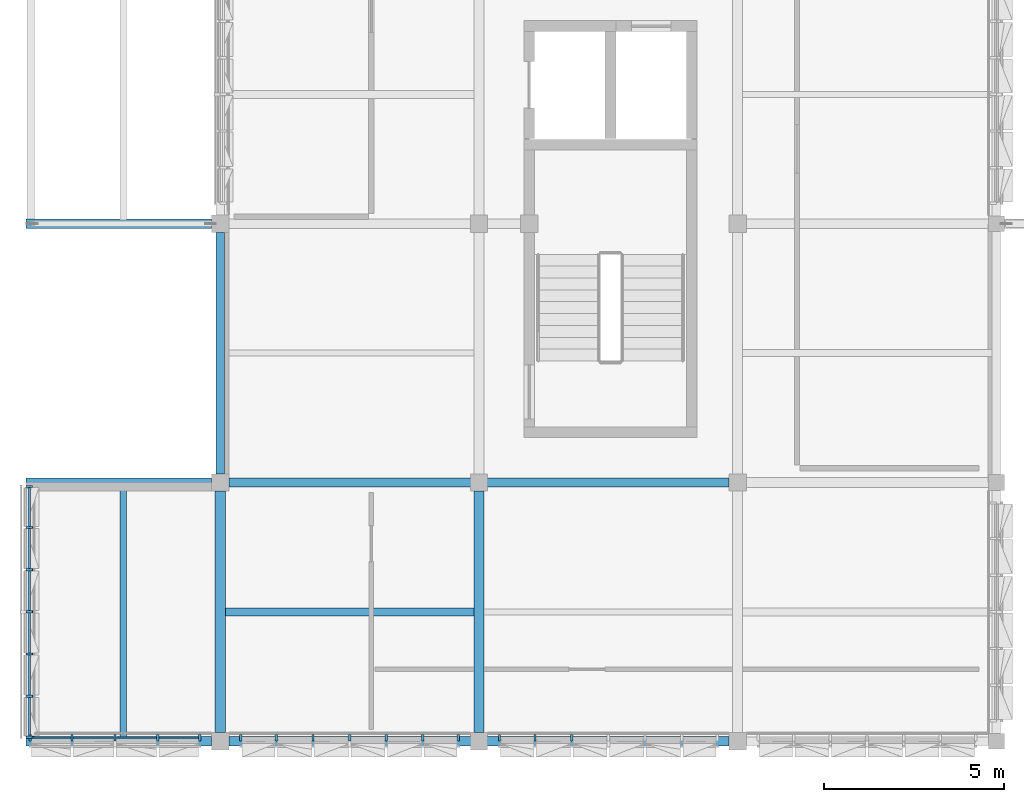
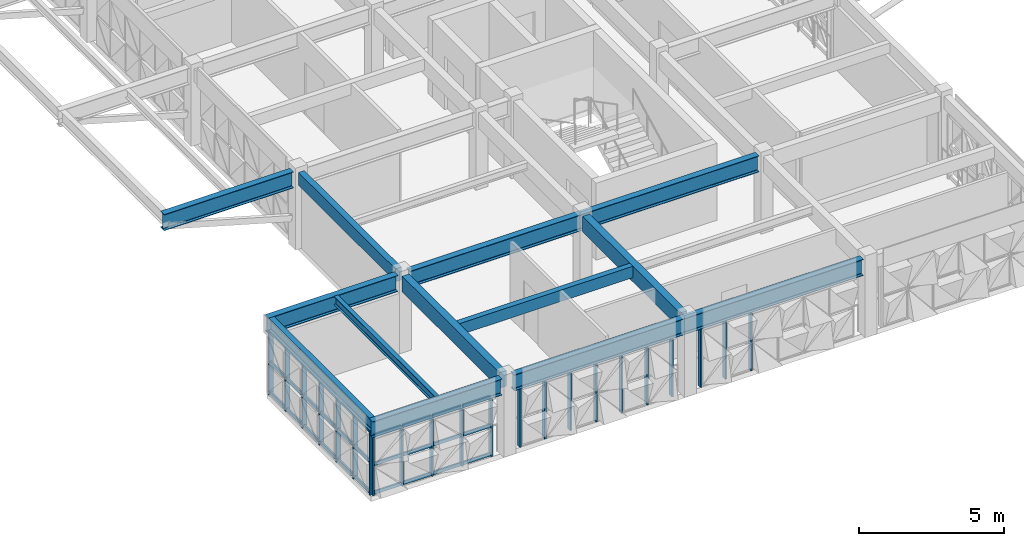
# One storey, part 2 of 30: 52 members, 11 beams, 4 elements without a shape of their own.
"""IFC4 building model written with IfcOpenShell, lengths in metres."""

from ifc_helpers import new_model, si_unit, direction, frame, origin, origin_2d, place, context, subcontext, project, spatial, rectangle, i_section, extrude, material, material_profile, profile_set, type_object, element, aggregate, save


model = new_model("IFC4")

# Units and contexts
model_context = context("Model", 3, precision=1e-05, world=origin(), true_north=direction((0.0, 1.0)))
body_context = subcontext(model_context, "Body", "Model", "MODEL_VIEW")
ifc_project = project(units=[si_unit("LENGTHUNIT", "METRE"), si_unit("AREAUNIT", "SQUARE_METRE"), si_unit("VOLUMEUNIT", "CUBIC_METRE"), si_unit("PLANEANGLEUNIT", "RADIAN"), si_unit("MASSUNIT", "GRAM", prefix="KILO")], contexts=[model_context])

# Site, building, storey
site_placement = place(None, origin())
site = spatial("IfcSite", under=ifc_project, at=site_placement, CompositionType="ELEMENT")
building_placement = place(site_placement, origin())
building = spatial("IfcBuilding", under=site, at=building_placement, Name="Alvorim Cloister Faculty of Sciences", CompositionType="ELEMENT")
storey_placement = place(building_placement, frame((0.0, 0.0, 26.25)))
storey = spatial("IfcBuildingStorey", under=building, at=storey_placement, Name="L07", CompositionType="ELEMENT", Elevation=26.25)

# Beams
ifc_material_1 = material(Name="Glulam GL28h", Category="wood")
ifc_material_profile_1 = material_profile(ifc_material_1, rectangle(XDim=0.280029296875, YDim=0.659912109375, at=origin_2d()), Name="GL28-BM-280x660")
ifc_profile_set_1 = profile_set([ifc_material_profile_1], Name="Glulam GL28h")
beam_type_1 = type_object("IfcBeamType", Name="BM-GL-280x660", PredefinedType="BEAM", material=ifc_profile_set_1)
for number, where, z_axis, x_axis, name in (
    (1, (7.199951171875, 7.43994140625, 2.909912109375), (0.0, 1.0, 0.0), (-1.0, 0.0, 0.0), "L07 Primary Girder BM-2126"),
    (2, (14.39990234375, 7.43994140625, 2.909912109375), (0.0, 1.0, 0.0), (-1.0, 0.0, 0.0), "L07 Primary Girder BM-2133"),
):
    element("IfcBeam", number, at=place(storey_placement, frame(where, z_axis=z_axis, x_axis=x_axis)), inside=storey, type_object=beam_type_1, Name=name, PredefinedType="BEAM", context=body_context, shape_type="SweptSolid", body=[
        extrude(rectangle(XDim=0.280029296875, YDim=0.659912109375, at=origin_2d()), origin(), (0.0, 0.0, 1.0), 6.719970703125),
    ])
ifc_material_profile_2 = material_profile(ifc_material_1, rectangle(XDim=0.219970703125, YDim=0.47998046875, at=origin_2d()), Name="GL28-JST-220x480")
ifc_profile_set_2 = profile_set([ifc_material_profile_2], Name="Glulam GL28h")
beam_type_2 = type_object("IfcBeamType", Name="BM-JST-GL-220x480", PredefinedType="JOIST", material=ifc_profile_set_2)
beam_1_placement = place(storey_placement, frame((7.340087890625, 10.800048828125, 3.0), z_axis=(1.0, 0.0, 0.0), x_axis=(0.0, 1.0, 0.0)))
element("IfcBeam", 3, at=beam_1_placement, inside=storey, type_object=beam_type_2, Name="L07 Secondary Floor Joist BM-2154", PredefinedType="JOIST", context=body_context, shape_type="SweptSolid", body=[
    extrude(rectangle(XDim=0.219970703125, YDim=0.47998046875, at=origin_2d()), origin(), (0.0, 0.0, 1.0), 6.919921875),
])
ifc_material_profile_3 = material_profile(ifc_material_1, rectangle(XDim=0.239990234375, YDim=0.5400390625, at=origin_2d()), Name="GL28-SPD-240x540")
ifc_profile_set_3 = profile_set([ifc_material_profile_3], Name="Glulam GL28h")
beam_type_3 = type_object("IfcBeamType", Name="BM-SPD-GL-240x540", PredefinedType="SPANDREL", material=ifc_profile_set_3)
beam_2_placement = place(storey_placement, frame((7.199951171875, 14.639892578125, 2.969970703125), z_axis=(0.0, 1.0, 0.0), x_axis=(-1.0, 0.0, 0.0)))
element("IfcBeam", 4, at=beam_2_placement, inside=storey, type_object=beam_type_3, Name="L07 Primary Girder BM-2127", PredefinedType="SPANDREL", context=body_context, shape_type="SweptSolid", body=[
    extrude(rectangle(XDim=0.239990234375, YDim=0.5400390625, at=origin_2d()), origin(), (0.0, 0.0, 1.0), 6.72021484375),
])
ifc_material_2 = material(Name="Steel ASTM A572 Grade 50", Category="steel")
ifc_material_profile_4 = material_profile(ifc_material_2, i_section(OverallWidth=0.1708984375, OverallDepth=0.35498046875, WebThickness=0.007080078125, FlangeThickness=0.01171875, FilletRadius=0.012939453125, at=origin_2d()), Name="W360x51.0")
ifc_profile_set_4 = profile_set([ifc_material_profile_4], Name="Steel ASTM A572 Grade 50")
beam_type_4 = type_object("IfcBeamType", Name="BM-STL-W360", PredefinedType="JOIST", material=ifc_profile_set_4)
beam_3_placement = place(storey_placement, frame((4.5, 7.31005859375, 3.0625), z_axis=(0.0, 1.0, 0.0), x_axis=(-1.0, 0.0, 0.0)))
element("IfcBeam", 5, at=beam_3_placement, inside=storey, type_object=beam_type_4, Name="L07 Cantilever Deck Joist BM-0168", PredefinedType="JOIST", context=body_context, shape_type="SweptSolid", body=[
    extrude(i_section(OverallWidth=0.1708984375, OverallDepth=0.35498046875, WebThickness=0.007080078125, FlangeThickness=0.01171875, FilletRadius=0.012939453125, at=origin_2d()), origin(), (0.0, 0.0, 1.0), 6.97998046875),
])
ifc_material_profile_5 = material_profile(ifc_material_2, i_section(OverallWidth=0.208984375, OverallDepth=0.532958984375, WebThickness=0.01025390625, FlangeThickness=0.015625, FilletRadius=0.01611328125, at=origin_2d()), Name="W530x92.0")
ifc_profile_set_5 = profile_set([ifc_material_profile_5], Name="Steel ASTM A572 Grade 50")
beam_type_5 = type_object("IfcBeamType", Name="BM-STL-W530", PredefinedType="BEAM", material=ifc_profile_set_5)
beam_4_placement = place(storey_placement, frame((1.919921875, 7.31005859375, 2.973388671875), z_axis=(0.0, 1.0, 0.0), x_axis=(-1.0, 0.0, 0.0)))
element("IfcBeam", 6, at=beam_4_placement, inside=storey, type_object=beam_type_5, Name="L07 Cantilever Tip Header Girder BM-0167", PredefinedType="BEAM", context=body_context, shape_type="SweptSolid", body=[
    extrude(i_section(OverallWidth=0.208984375, OverallDepth=0.532958984375, WebThickness=0.01025390625, FlangeThickness=0.015625, FilletRadius=0.01611328125, at=origin_2d()), origin(), (0.0, 0.0, 1.0), 6.97998046875),
])
ifc_material_profile_6 = material_profile(ifc_material_2, i_section(OverallWidth=0.25390625, OverallDepth=0.68408203125, WebThickness=0.012451171875, FlangeThickness=0.01904296875, FilletRadius=0.01904296875, at=origin_2d()), Name="W690x140.0")
ifc_profile_set_6 = profile_set([ifc_material_profile_6], Name="Steel ASTM A572 Grade 50")
beam_type_6 = type_object("IfcBeamType", Name="BM-STL-W690", PredefinedType="BEAM", material=ifc_profile_set_6)
beam_5_placement = place(storey_placement, frame((7.43994140625, 7.199951171875, 2.89794921875), z_axis=(1.0, 0.0, 0.0), x_axis=(0.0, 1.0, 0.0)))
element("IfcBeam", 7, at=beam_5_placement, inside=storey, type_object=beam_type_6, Name="L07 Cantilever Backspan Girder BM-0163", PredefinedType="BEAM", context=body_context, shape_type="SweptSolid", body=[
    extrude(i_section(OverallWidth=0.25390625, OverallDepth=0.68408203125, WebThickness=0.012451171875, FlangeThickness=0.01904296875, FilletRadius=0.01904296875, at=origin_2d()), origin(), (0.0, 0.0, 1.0), 13.920166015625),
])
beam_6_placement = place(storey_placement, frame((1.800048828125, 7.199951171875, 2.89794921875), z_axis=(1.0, 0.0, 0.0), x_axis=(0.0, 1.0, 0.0)))
element("IfcBeam", 8, at=beam_6_placement, inside=storey, type_object=beam_type_6, Name="L07 Cantilever Overhang Girder BM-0164", PredefinedType="BEAM", context=body_context, shape_type="SweptSolid", body=[
    extrude(i_section(OverallWidth=0.25390625, OverallDepth=0.68408203125, WebThickness=0.012451171875, FlangeThickness=0.01904296875, FilletRadius=0.01904296875, at=origin_2d()), origin(), (0.0, 0.0, 1.0), 5.159912109375),
])
beam_7_placement = place(storey_placement, frame((7.43994140625, 14.39990234375, 2.89794921875), z_axis=(1.0, 0.0, 0.0), x_axis=(0.0, 1.0, 0.0)))
element("IfcBeam", 9, at=beam_7_placement, inside=storey, type_object=beam_type_6, Name="L07 Cantilever Backspan Girder BM-0165", PredefinedType="BEAM", context=body_context, shape_type="SweptSolid", body=[
    extrude(i_section(OverallWidth=0.25390625, OverallDepth=0.68408203125, WebThickness=0.012451171875, FlangeThickness=0.01904296875, FilletRadius=0.01904296875, at=origin_2d()), origin(), (0.0, 0.0, 1.0), 13.920166015625),
])
for number, where, z_axis, x_axis, name in (
    (10, (1.800048828125, 14.39990234375, 2.89794921875), (1.0, 0.0, 0.0), (0.0, 1.0, 0.0), "L07 Cantilever Overhang Girder BM-0166"),
    (11, (1.800048828125, 21.60009765625, 2.89794921875), (1.0, 0.0, 0.0), (0.0, 1.0, 0.0), "L07 Cantilever Overhang Girder BM-0170"),
):
    element("IfcBeam", number, at=place(storey_placement, frame(where, z_axis=z_axis, x_axis=x_axis)), inside=storey, type_object=beam_type_6, Name=name, PredefinedType="BEAM", context=body_context, shape_type="SweptSolid", body=[
        extrude(i_section(OverallWidth=0.25390625, OverallDepth=0.68408203125, WebThickness=0.012451171875, FlangeThickness=0.01904296875, FilletRadius=0.01904296875, at=origin_2d()), origin(), (0.0, 0.0, 1.0), 5.159912109375),
    ])

# Curtain wall, members
ifc_material_3 = material(Name="Aluminium and Low-E Glass Curtain Wall", Category="aluminium")
curtain_wall_type_1 = type_object("IfcCurtainWallType", Name="CW-TRI-6120x2556", PredefinedType="USERDEFINED", material=ifc_material_3)
curtain_wall_1_placement = place(storey_placement, origin())
curtain_wall_1 = element("IfcCurtainWall", 12, at=curtain_wall_1_placement, inside=storey, type_object=curtain_wall_type_1, Name="L07 Diagonal Cassette Curtain Wall CW-0263", ObjectType="UNITISED CURTAIN WALL", PredefinedType="USERDEFINED")
ifc_material_4 = material(Name="Aluminium Alloy 6063-T6", Category="aluminium")
ifc_material_profile_7 = material_profile(ifc_material_4, rectangle(XDim=0.06494140625, YDim=0.179931640625, at=origin_2d()), Name="ALU-MUL-65x180")
ifc_profile_set_7 = profile_set([ifc_material_profile_7], Name="Aluminium Alloy 6063-T6")
member_type_1 = type_object("IfcMemberType", Name="CW-MUL-65x180", PredefinedType="MULLION", material=ifc_profile_set_7)
member_1_placement = place(storey_placement, frame((14.972412109375, 7.2900390625, 0.0), z_axis=(0.0, 0.0, 1.0), x_axis=(1.0, 0.0, 0.0)))
member_1 = element("IfcMember", 13, at=member_1_placement, type_object=member_type_1, Name="CW-0263 Mullion 1", PredefinedType="MULLION", context=body_context, shape_type="SweptSolid", body=[
    extrude(rectangle(XDim=0.06494140625, YDim=0.179931640625, at=origin_2d()), origin(), (0.0, 0.0, 1.0), 2.555908203125),
])
member_2_placement = place(storey_placement, frame((15.9599609375, 7.2900390625, 0.0), z_axis=(0.0, 0.0, 1.0), x_axis=(1.0, 0.0, 0.0)))
member_2 = element("IfcMember", 14, at=member_2_placement, type_object=member_type_1, Name="CW-0263 Mullion 2", PredefinedType="MULLION", context=body_context, shape_type="SweptSolid", body=[
    extrude(rectangle(XDim=0.06494140625, YDim=0.179931640625, at=origin_2d()), origin(), (0.0, 0.0, 1.0), 2.555908203125),
])
member_3_placement = place(storey_placement, frame((16.97998046875, 7.2900390625, 0.0), z_axis=(0.0, 0.0, 1.0), x_axis=(1.0, 0.0, 0.0)))
member_3 = element("IfcMember", 15, at=member_3_placement, type_object=member_type_1, Name="CW-0263 Mullion 3", PredefinedType="MULLION", context=body_context, shape_type="SweptSolid", body=[
    extrude(rectangle(XDim=0.06494140625, YDim=0.179931640625, at=origin_2d()), origin(), (0.0, 0.0, 1.0), 2.555908203125),
])
aggregate(curtain_wall_1, [member_1, member_2, member_3])

curtain_wall_2_placement = place(storey_placement, origin())
curtain_wall_2 = element("IfcCurtainWall", 16, at=curtain_wall_2_placement, inside=storey, type_object=curtain_wall_type_1, Name="L07 Diagonal Cassette Curtain Wall CW-0264", ObjectType="UNITISED CURTAIN WALL", PredefinedType="USERDEFINED")
member_4_placement = place(storey_placement, frame((7.7724609375, 7.2900390625, 0.0), z_axis=(0.0, 0.0, 1.0), x_axis=(1.0, 0.0, 0.0)))
member_4 = element("IfcMember", 17, at=member_4_placement, type_object=member_type_1, Name="CW-0264 Mullion 1", PredefinedType="MULLION", context=body_context, shape_type="SweptSolid", body=[
    extrude(rectangle(XDim=0.06494140625, YDim=0.179931640625, at=origin_2d()), origin(), (0.0, 0.0, 1.0), 2.555908203125),
])
member_5_placement = place(storey_placement, frame((8.760009765625, 7.2900390625, 0.0), z_axis=(0.0, 0.0, 1.0), x_axis=(1.0, 0.0, 0.0)))
member_5 = element("IfcMember", 18, at=member_5_placement, type_object=member_type_1, Name="CW-0264 Mullion 2", PredefinedType="MULLION", context=body_context, shape_type="SweptSolid", body=[
    extrude(rectangle(XDim=0.06494140625, YDim=0.179931640625, at=origin_2d()), origin(), (0.0, 0.0, 1.0), 2.555908203125),
])
member_6_placement = place(storey_placement, frame((9.780029296875, 7.2900390625, 0.0), z_axis=(0.0, 0.0, 1.0), x_axis=(1.0, 0.0, 0.0)))
member_6 = element("IfcMember", 19, at=member_6_placement, type_object=member_type_1, Name="CW-0264 Mullion 3", PredefinedType="MULLION", context=body_context, shape_type="SweptSolid", body=[
    extrude(rectangle(XDim=0.06494140625, YDim=0.179931640625, at=origin_2d()), origin(), (0.0, 0.0, 1.0), 2.555908203125),
])
member_7_placement = place(storey_placement, frame((10.800048828125, 7.2900390625, 0.0), z_axis=(0.0, 0.0, 1.0), x_axis=(1.0, 0.0, 0.0)))
member_7 = element("IfcMember", 20, at=member_7_placement, type_object=member_type_1, Name="CW-0264 Mullion 4", PredefinedType="MULLION", context=body_context, shape_type="SweptSolid", body=[
    extrude(rectangle(XDim=0.06494140625, YDim=0.179931640625, at=origin_2d()), origin(), (0.0, 0.0, 1.0), 2.555908203125),
])
member_8_placement = place(storey_placement, frame((11.820068359375, 7.2900390625, 0.0), z_axis=(0.0, 0.0, 1.0), x_axis=(1.0, 0.0, 0.0)))
member_8 = element("IfcMember", 21, at=member_8_placement, type_object=member_type_1, Name="CW-0264 Mullion 5", PredefinedType="MULLION", context=body_context, shape_type="SweptSolid", body=[
    extrude(rectangle(XDim=0.06494140625, YDim=0.179931640625, at=origin_2d()), origin(), (0.0, 0.0, 1.0), 2.555908203125),
])
member_9_placement = place(storey_placement, frame((12.840087890625, 7.2900390625, 0.0), z_axis=(0.0, 0.0, 1.0), x_axis=(1.0, 0.0, 0.0)))
member_9 = element("IfcMember", 22, at=member_9_placement, type_object=member_type_1, Name="CW-0264 Mullion 6", PredefinedType="MULLION", context=body_context, shape_type="SweptSolid", body=[
    extrude(rectangle(XDim=0.06494140625, YDim=0.179931640625, at=origin_2d()), origin(), (0.0, 0.0, 1.0), 2.555908203125),
])
member_10_placement = place(storey_placement, frame((13.827392578125, 7.2900390625, 0.0), z_axis=(0.0, 0.0, 1.0), x_axis=(1.0, 0.0, 0.0)))
member_10 = element("IfcMember", 23, at=member_10_placement, type_object=member_type_1, Name="CW-0264 Mullion 7", PredefinedType="MULLION", context=body_context, shape_type="SweptSolid", body=[
    extrude(rectangle(XDim=0.06494140625, YDim=0.179931640625, at=origin_2d()), origin(), (0.0, 0.0, 1.0), 2.555908203125),
])
aggregate(curtain_wall_2, [member_4, member_5, member_6, member_7, member_8, member_9, member_10])

curtain_wall_type_2 = type_object("IfcCurtainWallType", Name="CW-TRI-4780x2556", PredefinedType="USERDEFINED", material=ifc_material_3)
curtain_wall_3_placement = place(storey_placement, origin())
curtain_wall_3 = element("IfcCurtainWall", 24, at=curtain_wall_3_placement, inside=storey, type_object=curtain_wall_type_2, Name="L07 Diagonal Cassette Curtain Wall CW-0265", ObjectType="UNITISED CURTAIN WALL", PredefinedType="USERDEFINED")
member_11_placement = place(storey_placement, frame((1.91259765625, 7.2900390625, 0.0), z_axis=(0.0, 0.0, 1.0), x_axis=(1.0, 0.0, 0.0)))
member_11 = element("IfcMember", 25, at=member_11_placement, type_object=member_type_1, Name="CW-0265 Mullion 1", PredefinedType="MULLION", context=body_context, shape_type="SweptSolid", body=[
    extrude(rectangle(XDim=0.06494140625, YDim=0.179931640625, at=origin_2d()), origin(), (0.0, 0.0, 1.0), 2.555908203125),
])
member_12_placement = place(storey_placement, frame((3.074951171875, 7.2900390625, 0.0), z_axis=(0.0, 0.0, 1.0), x_axis=(1.0, 0.0, 0.0)))
member_12 = element("IfcMember", 26, at=member_12_placement, type_object=member_type_1, Name="CW-0265 Mullion 2", PredefinedType="MULLION", context=body_context, shape_type="SweptSolid", body=[
    extrude(rectangle(XDim=0.06494140625, YDim=0.179931640625, at=origin_2d()), origin(), (0.0, 0.0, 1.0), 2.555908203125),
])
member_13_placement = place(storey_placement, frame((4.27001953125, 7.2900390625, 0.0), z_axis=(0.0, 0.0, 1.0), x_axis=(1.0, 0.0, 0.0)))
member_13 = element("IfcMember", 27, at=member_13_placement, type_object=member_type_1, Name="CW-0265 Mullion 3", PredefinedType="MULLION", context=body_context, shape_type="SweptSolid", body=[
    extrude(rectangle(XDim=0.06494140625, YDim=0.179931640625, at=origin_2d()), origin(), (0.0, 0.0, 1.0), 2.555908203125),
])
member_14_placement = place(storey_placement, frame((5.465087890625, 7.2900390625, 0.0), z_axis=(0.0, 0.0, 1.0), x_axis=(1.0, 0.0, 0.0)))
member_14 = element("IfcMember", 28, at=member_14_placement, type_object=member_type_1, Name="CW-0265 Mullion 4", PredefinedType="MULLION", context=body_context, shape_type="SweptSolid", body=[
    extrude(rectangle(XDim=0.06494140625, YDim=0.179931640625, at=origin_2d()), origin(), (0.0, 0.0, 1.0), 2.555908203125),
])
member_15_placement = place(storey_placement, frame((6.62744140625, 7.2900390625, 0.0), z_axis=(0.0, 0.0, 1.0), x_axis=(1.0, 0.0, 0.0)))
member_15 = element("IfcMember", 29, at=member_15_placement, type_object=member_type_1, Name="CW-0265 Mullion 5", PredefinedType="MULLION", context=body_context, shape_type="SweptSolid", body=[
    extrude(rectangle(XDim=0.06494140625, YDim=0.179931640625, at=origin_2d()), origin(), (0.0, 0.0, 1.0), 2.555908203125),
])

curtain_wall_type_3 = type_object("IfcCurtainWallType", Name="CW-TRI-7040x2707", PredefinedType="USERDEFINED", material=ifc_material_3)
curtain_wall_4_placement = place(storey_placement, origin())
curtain_wall_4 = element("IfcCurtainWall", 30, at=curtain_wall_4_placement, inside=storey, type_object=curtain_wall_type_3, Name="L07 Diagonal Cassette Curtain Wall CW-0266", ObjectType="UNITISED CURTAIN WALL", PredefinedType="USERDEFINED")
member_16_placement = place(storey_placement, frame((1.889892578125, 7.3125, 0.0), z_axis=(0.0, 0.0, 1.0), x_axis=(0.0, 1.0, 0.0)))
member_16 = element("IfcMember", 31, at=member_16_placement, type_object=member_type_1, Name="CW-0266 Mullion 1", PredefinedType="MULLION", context=body_context, shape_type="SweptSolid", body=[
    extrude(rectangle(XDim=0.06494140625, YDim=0.179931640625, at=origin_2d()), origin(), (0.0, 0.0, 1.0), 2.70703125),
])
member_17_placement = place(storey_placement, frame((1.889892578125, 8.453369140625, 0.0), z_axis=(0.0, 0.0, 1.0), x_axis=(0.0, 1.0, 0.0)))
member_17 = element("IfcMember", 32, at=member_17_placement, type_object=member_type_1, Name="CW-0266 Mullion 2", PredefinedType="MULLION", context=body_context, shape_type="SweptSolid", body=[
    extrude(rectangle(XDim=0.06494140625, YDim=0.179931640625, at=origin_2d()), origin(), (0.0, 0.0, 1.0), 2.70703125),
])
member_18_placement = place(storey_placement, frame((1.889892578125, 9.626708984375, 0.0), z_axis=(0.0, 0.0, 1.0), x_axis=(0.0, 1.0, 0.0)))
member_18 = element("IfcMember", 33, at=member_18_placement, type_object=member_type_1, Name="CW-0266 Mullion 3", PredefinedType="MULLION", context=body_context, shape_type="SweptSolid", body=[
    extrude(rectangle(XDim=0.06494140625, YDim=0.179931640625, at=origin_2d()), origin(), (0.0, 0.0, 1.0), 2.70703125),
])
member_19_placement = place(storey_placement, frame((1.889892578125, 10.800048828125, 0.0), z_axis=(0.0, 0.0, 1.0), x_axis=(0.0, 1.0, 0.0)))
member_19 = element("IfcMember", 34, at=member_19_placement, type_object=member_type_1, Name="CW-0266 Mullion 4", PredefinedType="MULLION", context=body_context, shape_type="SweptSolid", body=[
    extrude(rectangle(XDim=0.06494140625, YDim=0.179931640625, at=origin_2d()), origin(), (0.0, 0.0, 1.0), 2.70703125),
])
member_20_placement = place(storey_placement, frame((1.889892578125, 11.973388671875, 0.0), z_axis=(0.0, 0.0, 1.0), x_axis=(0.0, 1.0, 0.0)))
member_20 = element("IfcMember", 35, at=member_20_placement, type_object=member_type_1, Name="CW-0266 Mullion 5", PredefinedType="MULLION", context=body_context, shape_type="SweptSolid", body=[
    extrude(rectangle(XDim=0.06494140625, YDim=0.179931640625, at=origin_2d()), origin(), (0.0, 0.0, 1.0), 2.70703125),
])
member_21_placement = place(storey_placement, frame((1.889892578125, 13.146728515625, 0.0), z_axis=(0.0, 0.0, 1.0), x_axis=(0.0, 1.0, 0.0)))
member_21 = element("IfcMember", 36, at=member_21_placement, type_object=member_type_1, Name="CW-0266 Mullion 6", PredefinedType="MULLION", context=body_context, shape_type="SweptSolid", body=[
    extrude(rectangle(XDim=0.06494140625, YDim=0.179931640625, at=origin_2d()), origin(), (0.0, 0.0, 1.0), 2.70703125),
])
member_22_placement = place(storey_placement, frame((1.889892578125, 14.28759765625, 0.0), z_axis=(0.0, 0.0, 1.0), x_axis=(0.0, 1.0, 0.0)))
member_22 = element("IfcMember", 37, at=member_22_placement, type_object=member_type_1, Name="CW-0266 Mullion 7", PredefinedType="MULLION", context=body_context, shape_type="SweptSolid", body=[
    extrude(rectangle(XDim=0.06494140625, YDim=0.179931640625, at=origin_2d()), origin(), (0.0, 0.0, 1.0), 2.70703125),
])

# Member
ifc_material_profile_8 = material_profile(ifc_material_4, rectangle(XDim=0.06494140625, YDim=0.139892578125, at=origin_2d()), Name="ALU-TRN-65x140")
ifc_profile_set_8 = profile_set([ifc_material_profile_8], Name="Aluminium Alloy 6063-T6")
member_type_2 = type_object("IfcMemberType", Name="CW-TRN-65x140", PredefinedType="USERDEFINED", material=ifc_profile_set_8)
member_23_placement = place(storey_placement, frame((1.945068359375, 7.2900390625, 0.070068359375), z_axis=(1.0, 0.0, 0.0), x_axis=(0.0, 1.0, 0.0)))
member_23 = element("IfcMember", 38, at=member_23_placement, type_object=member_type_2, Name="CW-0265 Transom 1.1", ObjectType="TRANSOM", PredefinedType="USERDEFINED", context=body_context, shape_type="SweptSolid", body=[
    extrude(rectangle(XDim=0.06494140625, YDim=0.139892578125, at=origin_2d()), origin(), (0.0, 0.0, 1.0), 1.097412109375),
])

member_24_placement = place(storey_placement, frame((1.945068359375, 7.2900390625, 1.278076171875), z_axis=(1.0, 0.0, 0.0), x_axis=(0.0, 1.0, 0.0)))
member_24 = element("IfcMember", 39, at=member_24_placement, type_object=member_type_2, Name="CW-0265 Transom 1.2", ObjectType="TRANSOM", PredefinedType="USERDEFINED", context=body_context, shape_type="SweptSolid", body=[
    extrude(rectangle(XDim=0.06494140625, YDim=0.139892578125, at=origin_2d()), origin(), (0.0, 0.0, 1.0), 1.097412109375),
])

member_25_placement = place(storey_placement, frame((1.945068359375, 7.2900390625, 2.486083984375), z_axis=(1.0, 0.0, 0.0), x_axis=(0.0, 1.0, 0.0)))
member_25 = element("IfcMember", 40, at=member_25_placement, type_object=member_type_2, Name="CW-0265 Transom 1.3", ObjectType="TRANSOM", PredefinedType="USERDEFINED", context=body_context, shape_type="SweptSolid", body=[
    extrude(rectangle(XDim=0.06494140625, YDim=0.139892578125, at=origin_2d()), origin(), (0.0, 0.0, 1.0), 1.097412109375),
])

member_26_placement = place(storey_placement, frame((3.107421875, 7.2900390625, 0.070068359375), z_axis=(1.0, 0.0, 0.0), x_axis=(0.0, 1.0, 0.0)))
member_26 = element("IfcMember", 41, at=member_26_placement, type_object=member_type_2, Name="CW-0265 Transom 2.1", ObjectType="TRANSOM", PredefinedType="USERDEFINED", context=body_context, shape_type="SweptSolid", body=[
    extrude(rectangle(XDim=0.06494140625, YDim=0.139892578125, at=origin_2d()), origin(), (0.0, 0.0, 1.0), 1.130126953125),
])

member_27_placement = place(storey_placement, frame((3.107421875, 7.2900390625, 1.278076171875), z_axis=(1.0, 0.0, 0.0), x_axis=(0.0, 1.0, 0.0)))
member_27 = element("IfcMember", 42, at=member_27_placement, type_object=member_type_2, Name="CW-0265 Transom 2.2", ObjectType="TRANSOM", PredefinedType="USERDEFINED", context=body_context, shape_type="SweptSolid", body=[
    extrude(rectangle(XDim=0.06494140625, YDim=0.139892578125, at=origin_2d()), origin(), (0.0, 0.0, 1.0), 1.130126953125),
])

member_28_placement = place(storey_placement, frame((3.107421875, 7.2900390625, 2.486083984375), z_axis=(1.0, 0.0, 0.0), x_axis=(0.0, 1.0, 0.0)))
member_28 = element("IfcMember", 43, at=member_28_placement, type_object=member_type_2, Name="CW-0265 Transom 2.3", ObjectType="TRANSOM", PredefinedType="USERDEFINED", context=body_context, shape_type="SweptSolid", body=[
    extrude(rectangle(XDim=0.06494140625, YDim=0.139892578125, at=origin_2d()), origin(), (0.0, 0.0, 1.0), 1.130126953125),
])

member_29_placement = place(storey_placement, frame((4.302490234375, 7.2900390625, 0.070068359375), z_axis=(1.0, 0.0, 0.0), x_axis=(0.0, 1.0, 0.0)))
member_29 = element("IfcMember", 44, at=member_29_placement, type_object=member_type_2, Name="CW-0265 Transom 3.1", ObjectType="TRANSOM", PredefinedType="USERDEFINED", context=body_context, shape_type="SweptSolid", body=[
    extrude(rectangle(XDim=0.06494140625, YDim=0.139892578125, at=origin_2d()), origin(), (0.0, 0.0, 1.0), 1.130126953125),
])

member_30_placement = place(storey_placement, frame((4.302490234375, 7.2900390625, 1.278076171875), z_axis=(1.0, 0.0, 0.0), x_axis=(0.0, 1.0, 0.0)))
member_30 = element("IfcMember", 45, at=member_30_placement, type_object=member_type_2, Name="CW-0265 Transom 3.2", ObjectType="TRANSOM", PredefinedType="USERDEFINED", context=body_context, shape_type="SweptSolid", body=[
    extrude(rectangle(XDim=0.06494140625, YDim=0.139892578125, at=origin_2d()), origin(), (0.0, 0.0, 1.0), 1.130126953125),
])

member_31_placement = place(storey_placement, frame((4.302490234375, 7.2900390625, 2.486083984375), z_axis=(1.0, 0.0, 0.0), x_axis=(0.0, 1.0, 0.0)))
member_31 = element("IfcMember", 46, at=member_31_placement, type_object=member_type_2, Name="CW-0265 Transom 3.3", ObjectType="TRANSOM", PredefinedType="USERDEFINED", context=body_context, shape_type="SweptSolid", body=[
    extrude(rectangle(XDim=0.06494140625, YDim=0.139892578125, at=origin_2d()), origin(), (0.0, 0.0, 1.0), 1.130126953125),
])

member_32_placement = place(storey_placement, frame((5.49755859375, 7.2900390625, 0.070068359375), z_axis=(1.0, 0.0, 0.0), x_axis=(0.0, 1.0, 0.0)))
member_32 = element("IfcMember", 47, at=member_32_placement, type_object=member_type_2, Name="CW-0265 Transom 4.1", ObjectType="TRANSOM", PredefinedType="USERDEFINED", context=body_context, shape_type="SweptSolid", body=[
    extrude(rectangle(XDim=0.06494140625, YDim=0.139892578125, at=origin_2d()), origin(), (0.0, 0.0, 1.0), 1.097412109375),
])

member_33_placement = place(storey_placement, frame((5.49755859375, 7.2900390625, 1.278076171875), z_axis=(1.0, 0.0, 0.0), x_axis=(0.0, 1.0, 0.0)))
member_33 = element("IfcMember", 48, at=member_33_placement, type_object=member_type_2, Name="CW-0265 Transom 4.2", ObjectType="TRANSOM", PredefinedType="USERDEFINED", context=body_context, shape_type="SweptSolid", body=[
    extrude(rectangle(XDim=0.06494140625, YDim=0.139892578125, at=origin_2d()), origin(), (0.0, 0.0, 1.0), 1.097412109375),
])

member_34_placement = place(storey_placement, frame((5.49755859375, 7.2900390625, 2.486083984375), z_axis=(1.0, 0.0, 0.0), x_axis=(0.0, 1.0, 0.0)))
member_34 = element("IfcMember", 49, at=member_34_placement, type_object=member_type_2, Name="CW-0265 Transom 4.3", ObjectType="TRANSOM", PredefinedType="USERDEFINED", context=body_context, shape_type="SweptSolid", body=[
    extrude(rectangle(XDim=0.06494140625, YDim=0.139892578125, at=origin_2d()), origin(), (0.0, 0.0, 1.0), 1.097412109375),
])

aggregate(curtain_wall_3, [member_11, member_12, member_13, member_14, member_15, member_23, member_24, member_25, member_26, member_27, member_28, member_29, member_30, member_31, member_32, member_33, member_34])

member_35_placement = place(storey_placement, frame((1.889892578125, 7.344970703125, 0.070068359375), z_axis=(0.0, 1.0, 0.0), x_axis=(-1.0, 0.0, 0.0)))
member_35 = element("IfcMember", 50, at=member_35_placement, type_object=member_type_2, Name="CW-0266 Transom 1.1", ObjectType="TRANSOM", PredefinedType="USERDEFINED", context=body_context, shape_type="SweptSolid", body=[
    extrude(rectangle(XDim=0.06494140625, YDim=0.139892578125, at=origin_2d()), origin(), (0.0, 0.0, 1.0), 1.075927734375),
])

member_36_placement = place(storey_placement, frame((1.889892578125, 7.344970703125, 1.353515625), z_axis=(0.0, 1.0, 0.0), x_axis=(-1.0, 0.0, 0.0)))
member_36 = element("IfcMember", 51, at=member_36_placement, type_object=member_type_2, Name="CW-0266 Transom 1.2", ObjectType="TRANSOM", PredefinedType="USERDEFINED", context=body_context, shape_type="SweptSolid", body=[
    extrude(rectangle(XDim=0.06494140625, YDim=0.139892578125, at=origin_2d()), origin(), (0.0, 0.0, 1.0), 1.075927734375),
])

member_37_placement = place(storey_placement, frame((1.889892578125, 7.344970703125, 2.636962890625), z_axis=(0.0, 1.0, 0.0), x_axis=(-1.0, 0.0, 0.0)))
member_37 = element("IfcMember", 52, at=member_37_placement, type_object=member_type_2, Name="CW-0266 Transom 1.3", ObjectType="TRANSOM", PredefinedType="USERDEFINED", context=body_context, shape_type="SweptSolid", body=[
    extrude(rectangle(XDim=0.06494140625, YDim=0.139892578125, at=origin_2d()), origin(), (0.0, 0.0, 1.0), 1.075927734375),
])

member_38_placement = place(storey_placement, frame((1.889892578125, 8.48583984375, 0.070068359375), z_axis=(0.0, 1.0, 0.0), x_axis=(-1.0, 0.0, 0.0)))
member_38 = element("IfcMember", 53, at=member_38_placement, type_object=member_type_2, Name="CW-0266 Transom 2.1", ObjectType="TRANSOM", PredefinedType="USERDEFINED", context=body_context, shape_type="SweptSolid", body=[
    extrude(rectangle(XDim=0.06494140625, YDim=0.139892578125, at=origin_2d()), origin(), (0.0, 0.0, 1.0), 1.1083984375),
])

member_39_placement = place(storey_placement, frame((1.889892578125, 8.48583984375, 1.353515625), z_axis=(0.0, 1.0, 0.0), x_axis=(-1.0, 0.0, 0.0)))
member_39 = element("IfcMember", 54, at=member_39_placement, type_object=member_type_2, Name="CW-0266 Transom 2.2", ObjectType="TRANSOM", PredefinedType="USERDEFINED", context=body_context, shape_type="SweptSolid", body=[
    extrude(rectangle(XDim=0.06494140625, YDim=0.139892578125, at=origin_2d()), origin(), (0.0, 0.0, 1.0), 1.1083984375),
])

member_40_placement = place(storey_placement, frame((1.889892578125, 8.48583984375, 2.636962890625), z_axis=(0.0, 1.0, 0.0), x_axis=(-1.0, 0.0, 0.0)))
member_40 = element("IfcMember", 55, at=member_40_placement, type_object=member_type_2, Name="CW-0266 Transom 2.3", ObjectType="TRANSOM", PredefinedType="USERDEFINED", context=body_context, shape_type="SweptSolid", body=[
    extrude(rectangle(XDim=0.06494140625, YDim=0.139892578125, at=origin_2d()), origin(), (0.0, 0.0, 1.0), 1.1083984375),
])

member_41_placement = place(storey_placement, frame((1.889892578125, 9.6591796875, 0.070068359375), z_axis=(0.0, 1.0, 0.0), x_axis=(-1.0, 0.0, 0.0)))
member_41 = element("IfcMember", 56, at=member_41_placement, type_object=member_type_2, Name="CW-0266 Transom 3.1", ObjectType="TRANSOM", PredefinedType="USERDEFINED", context=body_context, shape_type="SweptSolid", body=[
    extrude(rectangle(XDim=0.06494140625, YDim=0.139892578125, at=origin_2d()), origin(), (0.0, 0.0, 1.0), 1.1083984375),
])

member_42_placement = place(storey_placement, frame((1.889892578125, 9.6591796875, 1.353515625), z_axis=(0.0, 1.0, 0.0), x_axis=(-1.0, 0.0, 0.0)))
member_42 = element("IfcMember", 57, at=member_42_placement, type_object=member_type_2, Name="CW-0266 Transom 3.2", ObjectType="TRANSOM", PredefinedType="USERDEFINED", context=body_context, shape_type="SweptSolid", body=[
    extrude(rectangle(XDim=0.06494140625, YDim=0.139892578125, at=origin_2d()), origin(), (0.0, 0.0, 1.0), 1.1083984375),
])

member_43_placement = place(storey_placement, frame((1.889892578125, 9.6591796875, 2.636962890625), z_axis=(0.0, 1.0, 0.0), x_axis=(-1.0, 0.0, 0.0)))
member_43 = element("IfcMember", 58, at=member_43_placement, type_object=member_type_2, Name="CW-0266 Transom 3.3", ObjectType="TRANSOM", PredefinedType="USERDEFINED", context=body_context, shape_type="SweptSolid", body=[
    extrude(rectangle(XDim=0.06494140625, YDim=0.139892578125, at=origin_2d()), origin(), (0.0, 0.0, 1.0), 1.1083984375),
])

member_44_placement = place(storey_placement, frame((1.889892578125, 10.83251953125, 0.070068359375), z_axis=(0.0, 1.0, 0.0), x_axis=(-1.0, 0.0, 0.0)))
member_44 = element("IfcMember", 59, at=member_44_placement, type_object=member_type_2, Name="CW-0266 Transom 4.1", ObjectType="TRANSOM", PredefinedType="USERDEFINED", context=body_context, shape_type="SweptSolid", body=[
    extrude(rectangle(XDim=0.06494140625, YDim=0.139892578125, at=origin_2d()), origin(), (0.0, 0.0, 1.0), 1.1083984375),
])

member_45_placement = place(storey_placement, frame((1.889892578125, 10.83251953125, 1.353515625), z_axis=(0.0, 1.0, 0.0), x_axis=(-1.0, 0.0, 0.0)))
member_45 = element("IfcMember", 60, at=member_45_placement, type_object=member_type_2, Name="CW-0266 Transom 4.2", ObjectType="TRANSOM", PredefinedType="USERDEFINED", context=body_context, shape_type="SweptSolid", body=[
    extrude(rectangle(XDim=0.06494140625, YDim=0.139892578125, at=origin_2d()), origin(), (0.0, 0.0, 1.0), 1.1083984375),
])

member_46_placement = place(storey_placement, frame((1.889892578125, 10.83251953125, 2.636962890625), z_axis=(0.0, 1.0, 0.0), x_axis=(-1.0, 0.0, 0.0)))
member_46 = element("IfcMember", 61, at=member_46_placement, type_object=member_type_2, Name="CW-0266 Transom 4.3", ObjectType="TRANSOM", PredefinedType="USERDEFINED", context=body_context, shape_type="SweptSolid", body=[
    extrude(rectangle(XDim=0.06494140625, YDim=0.139892578125, at=origin_2d()), origin(), (0.0, 0.0, 1.0), 1.1083984375),
])

member_47_placement = place(storey_placement, frame((1.889892578125, 12.005859375, 0.070068359375), z_axis=(0.0, 1.0, 0.0), x_axis=(-1.0, 0.0, 0.0)))
member_47 = element("IfcMember", 62, at=member_47_placement, type_object=member_type_2, Name="CW-0266 Transom 5.1", ObjectType="TRANSOM", PredefinedType="USERDEFINED", context=body_context, shape_type="SweptSolid", body=[
    extrude(rectangle(XDim=0.06494140625, YDim=0.139892578125, at=origin_2d()), origin(), (0.0, 0.0, 1.0), 1.1083984375),
])

member_48_placement = place(storey_placement, frame((1.889892578125, 12.005859375, 1.353515625), z_axis=(0.0, 1.0, 0.0), x_axis=(-1.0, 0.0, 0.0)))
member_48 = element("IfcMember", 63, at=member_48_placement, type_object=member_type_2, Name="CW-0266 Transom 5.2", ObjectType="TRANSOM", PredefinedType="USERDEFINED", context=body_context, shape_type="SweptSolid", body=[
    extrude(rectangle(XDim=0.06494140625, YDim=0.139892578125, at=origin_2d()), origin(), (0.0, 0.0, 1.0), 1.1083984375),
])

member_49_placement = place(storey_placement, frame((1.889892578125, 12.005859375, 2.636962890625), z_axis=(0.0, 1.0, 0.0), x_axis=(-1.0, 0.0, 0.0)))
member_49 = element("IfcMember", 64, at=member_49_placement, type_object=member_type_2, Name="CW-0266 Transom 5.3", ObjectType="TRANSOM", PredefinedType="USERDEFINED", context=body_context, shape_type="SweptSolid", body=[
    extrude(rectangle(XDim=0.06494140625, YDim=0.139892578125, at=origin_2d()), origin(), (0.0, 0.0, 1.0), 1.1083984375),
])

member_50_placement = place(storey_placement, frame((1.889892578125, 13.17919921875, 0.070068359375), z_axis=(0.0, 1.0, 0.0), x_axis=(-1.0, 0.0, 0.0)))
member_50 = element("IfcMember", 65, at=member_50_placement, type_object=member_type_2, Name="CW-0266 Transom 6.1", ObjectType="TRANSOM", PredefinedType="USERDEFINED", context=body_context, shape_type="SweptSolid", body=[
    extrude(rectangle(XDim=0.06494140625, YDim=0.139892578125, at=origin_2d()), origin(), (0.0, 0.0, 1.0), 1.07568359375),
])

member_51_placement = place(storey_placement, frame((1.889892578125, 13.17919921875, 1.353515625), z_axis=(0.0, 1.0, 0.0), x_axis=(-1.0, 0.0, 0.0)))
member_51 = element("IfcMember", 66, at=member_51_placement, type_object=member_type_2, Name="CW-0266 Transom 6.2", ObjectType="TRANSOM", PredefinedType="USERDEFINED", context=body_context, shape_type="SweptSolid", body=[
    extrude(rectangle(XDim=0.06494140625, YDim=0.139892578125, at=origin_2d()), origin(), (0.0, 0.0, 1.0), 1.07568359375),
])

member_52_placement = place(storey_placement, frame((1.889892578125, 13.17919921875, 2.636962890625), z_axis=(0.0, 1.0, 0.0), x_axis=(-1.0, 0.0, 0.0)))
member_52 = element("IfcMember", 67, at=member_52_placement, type_object=member_type_2, Name="CW-0266 Transom 6.3", ObjectType="TRANSOM", PredefinedType="USERDEFINED", context=body_context, shape_type="SweptSolid", body=[
    extrude(rectangle(XDim=0.06494140625, YDim=0.139892578125, at=origin_2d()), origin(), (0.0, 0.0, 1.0), 1.07568359375),
])

aggregate(curtain_wall_4, [member_16, member_17, member_18, member_19, member_20, member_21, member_22, member_35, member_36, member_37, member_38, member_39, member_40, member_41, member_42, member_43, member_44, member_45, member_46, member_47, member_48, member_49, member_50, member_51, member_52])

save(model, "model.ifc")
